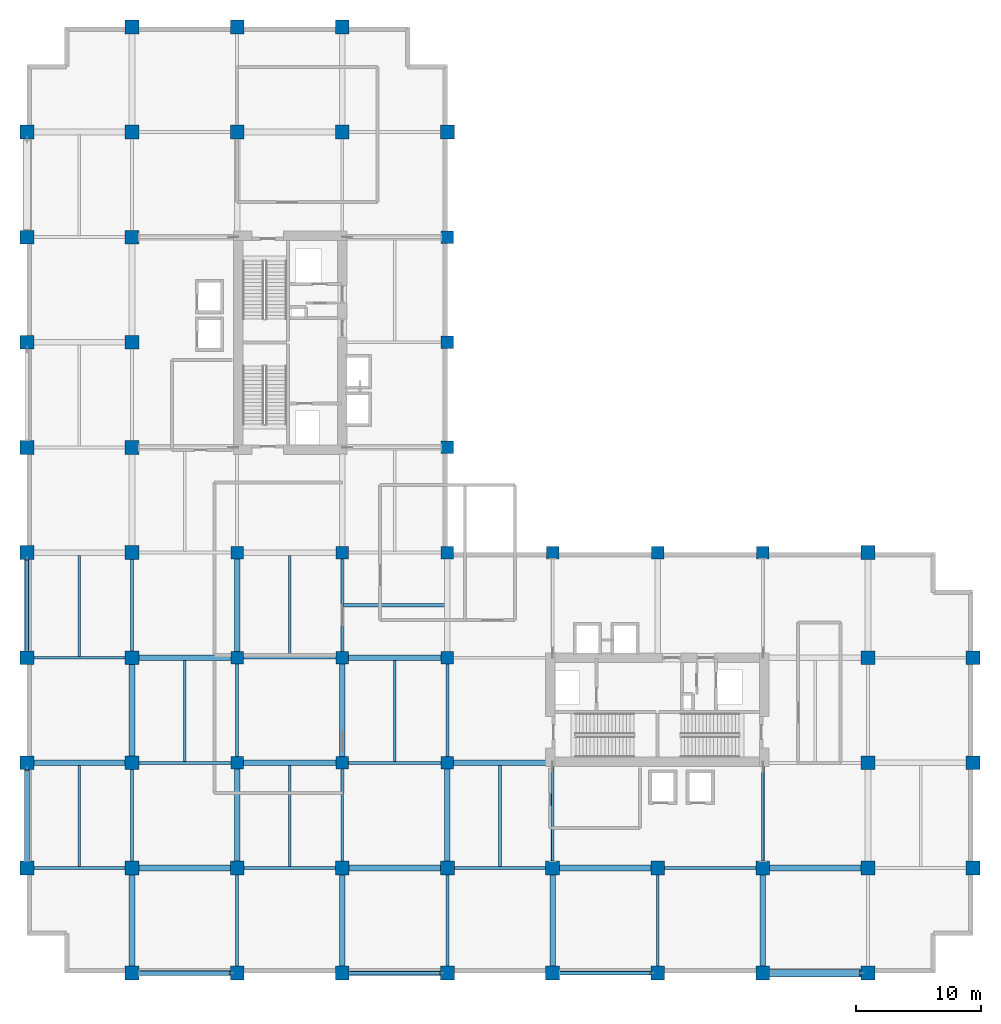
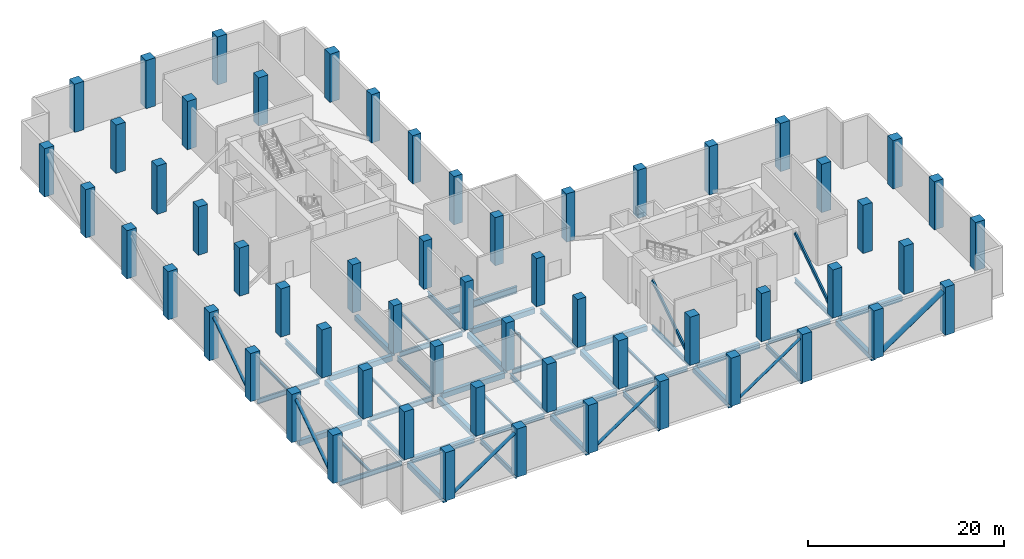
# One storey, part 1 of 16: 58 columns, 45 beams, 8 members.
"""IFC4 building model written with IfcOpenShell, lengths in metres."""

from ifc_helpers import new_model, si_unit, direction, frame, origin, origin_2d, place, context, subcontext, project, spatial, rectangle, hollow_rectangle, hollow_circle, i_section, extrude, material, material_profile, profile_set, type_object, element, save


model = new_model("IFC4")

# Units and contexts
model_context = context("Model", 3, precision=1e-05, world=origin(), true_north=direction((0.0, 1.0)))
body_context = subcontext(model_context, "Body", "Model", "MODEL_VIEW")
ifc_project = project(units=[si_unit("LENGTHUNIT", "METRE"), si_unit("AREAUNIT", "SQUARE_METRE"), si_unit("VOLUMEUNIT", "CUBIC_METRE"), si_unit("PLANEANGLEUNIT", "RADIAN"), si_unit("MASSUNIT", "GRAM", prefix="KILO")], contexts=[model_context])

# Site, building, storey
site_placement = place(None, origin())
site = spatial("IfcSite", under=ifc_project, at=site_placement, CompositionType="ELEMENT")
building_placement = place(site_placement, origin())
building = spatial("IfcBuilding", under=site, at=building_placement, Name="Koriwani Terraces Tower", CompositionType="ELEMENT")
storey_placement = place(building_placement, frame((0.0, 0.0, 162.0)))
storey = spatial("IfcBuildingStorey", under=building, at=storey_placement, Name="L39", CompositionType="ELEMENT", Elevation=162.0)

# Columns
ifc_material_1 = material(Name="Concrete C50/60", Category="concrete")
ifc_material_profile_1 = material_profile(ifc_material_1, rectangle(XDim=1.0, YDim=1.0, at=origin_2d()), Name="Concrete C50/60", Category="LoadBearing")
ifc_profile_set_1 = profile_set([ifc_material_profile_1], Name="Concrete C50/60")
column_type_1 = type_object("IfcColumnType", Name="COL_RC_1000X1000", PredefinedType="COLUMN", material=ifc_profile_set_1)
for number, where, z_axis, x_axis, name in (
    (1, (16.800048828125, 16.800048828125, 0.0), (0.0, 0.0, 1.0), (1.0, 0.0, 0.0), "L39 Column 3/C"),
    (2, (16.800048828125, 25.199951171875, 0.0), (0.0, 0.0, 1.0), (1.0, 0.0, 0.0), "L39 Column 3/D"),
    (3, (16.800048828125, 33.60009765625, 0.0), (0.0, 0.0, 1.0), (1.0, 0.0, 0.0), "L39 Column 3/E"),
    (4, (25.199951171875, 16.800048828125, 0.0), (0.0, 0.0, 1.0), (1.0, 0.0, 0.0), "L39 Column 4/C"),
    (5, (25.199951171875, 25.199951171875, 0.0), (0.0, 0.0, 1.0), (1.0, 0.0, 0.0), "L39 Column 4/D"),
    (6, (25.199951171875, 33.60009765625, 0.0), (0.0, 0.0, 1.0), (1.0, 0.0, 0.0), "L39 Column 4/E"),
    (7, (33.60009765625, 16.800048828125, 0.0), (0.0, 0.0, 1.0), (1.0, 0.0, 0.0), "L39 Column 5/C"),
    (8, (33.60009765625, 25.199951171875, 0.0), (0.0, 0.0, 1.0), (1.0, 0.0, 0.0), "L39 Column 5/D"),
    (9, (33.60009765625, 33.60009765625, 0.0), (0.0, 0.0, 1.0), (1.0, 0.0, 0.0), "L39 Column 5/E"),
    (10, (33.60009765625, 42.0, 0.0), (0.0, 0.0, 1.0), (1.0, 0.0, 0.0), "L39 Column 5/F"),
    (11, (33.60009765625, 50.39990234375, 0.0), (0.0, 0.0, 1.0), (1.0, 0.0, 0.0), "L39 Column 5/G"),
    (12, (33.60009765625, 58.800048828125, 0.0), (0.0, 0.0, 1.0), (1.0, 0.0, 0.0), "L39 Column 5/H"),
    (13, (42.0, 33.60009765625, 0.0), (0.0, 0.0, 1.0), (1.0, 0.0, 0.0), "L39 Column 6/E"),
    (14, (50.39990234375, 33.60009765625, 0.0), (0.0, 0.0, 1.0), (1.0, 0.0, 0.0), "L39 Column 7/E"),
    (15, (58.800048828125, 33.60009765625, 0.0), (0.0, 0.0, 1.0), (1.0, 0.0, 0.0), "L39 Column 8/E"),
):
    element("IfcColumn", number, at=place(storey_placement, frame(where, z_axis=z_axis, x_axis=x_axis)), inside=storey, type_object=column_type_1, Name=name, PredefinedType="COLUMN", context=body_context, shape_type="SweptSolid", body=[
        extrude(rectangle(XDim=1.0, YDim=1.0, at=origin_2d()), origin(), (0.0, 0.0, 1.0), 6.0),
    ])
ifc_material_profile_2 = material_profile(ifc_material_1, rectangle(XDim=1.10009765625, YDim=1.10009765625, at=origin_2d()), Name="Concrete C50/60", Category="LoadBearing")
ifc_profile_set_2 = profile_set([ifc_material_profile_2], Name="Concrete C50/60")
column_type_2 = type_object("IfcColumnType", Name="COL_RC_1100X1100", PredefinedType="COLUMN", material=ifc_profile_set_2)
for number, where, z_axis, x_axis, name in (
    (16, (0.0, 8.39990234375, 0.0), (0.0, 0.0, 1.0), (1.0, 0.0, 0.0), "L39 Column 1/B"),
    (17, (0.0, 16.800048828125, 0.0), (0.0, 0.0, 1.0), (1.0, 0.0, 0.0), "L39 Column 1/C"),
    (18, (0.0, 25.199951171875, 0.0), (0.0, 0.0, 1.0), (1.0, 0.0, 0.0), "L39 Column 1/D"),
    (19, (0.0, 33.60009765625, 0.0), (0.0, 0.0, 1.0), (1.0, 0.0, 0.0), "L39 Column 1/E"),
    (20, (0.0, 42.0, 0.0), (0.0, 0.0, 1.0), (1.0, 0.0, 0.0), "L39 Column 1/F"),
    (21, (0.0, 50.39990234375, 0.0), (0.0, 0.0, 1.0), (1.0, 0.0, 0.0), "L39 Column 1/G"),
    (22, (0.0, 58.800048828125, 0.0), (0.0, 0.0, 1.0), (1.0, 0.0, 0.0), "L39 Column 1/H"),
    (23, (0.0, 67.199951171875, 0.0), (0.0, 0.0, 1.0), (1.0, 0.0, 0.0), "L39 Column 1/I"),
    (24, (8.39990234375, 0.0, 0.0), (0.0, 0.0, 1.0), (1.0, 0.0, 0.0), "L39 Column 2/A"),
    (25, (8.39990234375, 8.39990234375, 0.0), (0.0, 0.0, 1.0), (1.0, 0.0, 0.0), "L39 Column 2/B"),
    (26, (8.39990234375, 16.800048828125, 0.0), (0.0, 0.0, 1.0), (1.0, 0.0, 0.0), "L39 Column 2/C"),
    (27, (8.39990234375, 25.199951171875, 0.0), (0.0, 0.0, 1.0), (1.0, 0.0, 0.0), "L39 Column 2/D"),
    (28, (8.39990234375, 33.60009765625, 0.0), (0.0, 0.0, 1.0), (1.0, 0.0, 0.0), "L39 Column 2/E"),
    (29, (8.39990234375, 42.0, 0.0), (0.0, 0.0, 1.0), (1.0, 0.0, 0.0), "L39 Column 2/F"),
    (30, (8.39990234375, 50.39990234375, 0.0), (0.0, 0.0, 1.0), (1.0, 0.0, 0.0), "L39 Column 2/G"),
    (31, (8.39990234375, 58.800048828125, 0.0), (0.0, 0.0, 1.0), (1.0, 0.0, 0.0), "L39 Column 2/H"),
    (32, (8.39990234375, 67.199951171875, 0.0), (0.0, 0.0, 1.0), (1.0, 0.0, 0.0), "L39 Column 2/I"),
    (33, (8.39990234375, 75.60009765625, 0.0), (0.0, 0.0, 1.0), (1.0, 0.0, 0.0), "L39 Column 2/J"),
    (34, (16.800048828125, 0.0, 0.0), (0.0, 0.0, 1.0), (1.0, 0.0, 0.0), "L39 Column 3/A"),
    (35, (16.800048828125, 8.39990234375, 0.0), (0.0, 0.0, 1.0), (1.0, 0.0, 0.0), "L39 Column 3/B"),
    (36, (16.800048828125, 67.199951171875, 0.0), (0.0, 0.0, 1.0), (1.0, 0.0, 0.0), "L39 Column 3/I"),
    (37, (16.800048828125, 75.60009765625, 0.0), (0.0, 0.0, 1.0), (1.0, 0.0, 0.0), "L39 Column 3/J"),
    (38, (25.199951171875, 0.0, 0.0), (0.0, 0.0, 1.0), (1.0, 0.0, 0.0), "L39 Column 4/A"),
    (39, (25.199951171875, 8.39990234375, 0.0), (0.0, 0.0, 1.0), (1.0, 0.0, 0.0), "L39 Column 4/B"),
    (40, (25.199951171875, 67.199951171875, 0.0), (0.0, 0.0, 1.0), (1.0, 0.0, 0.0), "L39 Column 4/I"),
    (41, (25.199951171875, 75.60009765625, 0.0), (0.0, 0.0, 1.0), (1.0, 0.0, 0.0), "L39 Column 4/J"),
    (42, (33.60009765625, 0.0, 0.0), (0.0, 0.0, 1.0), (1.0, 0.0, 0.0), "L39 Column 5/A"),
    (43, (33.60009765625, 8.39990234375, 0.0), (0.0, 0.0, 1.0), (1.0, 0.0, 0.0), "L39 Column 5/B"),
    (44, (33.60009765625, 67.199951171875, 0.0), (0.0, 0.0, 1.0), (1.0, 0.0, 0.0), "L39 Column 5/I"),
    (45, (42.0, 0.0, 0.0), (0.0, 0.0, 1.0), (1.0, 0.0, 0.0), "L39 Column 6/A"),
    (46, (42.0, 8.39990234375, 0.0), (0.0, 0.0, 1.0), (1.0, 0.0, 0.0), "L39 Column 6/B"),
    (47, (50.39990234375, 0.0, 0.0), (0.0, 0.0, 1.0), (1.0, 0.0, 0.0), "L39 Column 7/A"),
    (48, (50.39990234375, 8.39990234375, 0.0), (0.0, 0.0, 1.0), (1.0, 0.0, 0.0), "L39 Column 7/B"),
    (49, (58.800048828125, 0.0, 0.0), (0.0, 0.0, 1.0), (1.0, 0.0, 0.0), "L39 Column 8/A"),
    (50, (58.800048828125, 8.39990234375, 0.0), (0.0, 0.0, 1.0), (1.0, 0.0, 0.0), "L39 Column 8/B"),
    (51, (67.199951171875, 0.0, 0.0), (0.0, 0.0, 1.0), (1.0, 0.0, 0.0), "L39 Column 9/A"),
    (52, (67.199951171875, 8.39990234375, 0.0), (0.0, 0.0, 1.0), (1.0, 0.0, 0.0), "L39 Column 9/B"),
    (53, (67.199951171875, 16.800048828125, 0.0), (0.0, 0.0, 1.0), (1.0, 0.0, 0.0), "L39 Column 9/C"),
    (54, (67.199951171875, 25.199951171875, 0.0), (0.0, 0.0, 1.0), (1.0, 0.0, 0.0), "L39 Column 9/D"),
    (55, (67.199951171875, 33.60009765625, 0.0), (0.0, 0.0, 1.0), (1.0, 0.0, 0.0), "L39 Column 9/E"),
    (56, (75.60009765625, 8.39990234375, 0.0), (0.0, 0.0, 1.0), (1.0, 0.0, 0.0), "L39 Column 10/B"),
    (57, (75.60009765625, 16.800048828125, 0.0), (0.0, 0.0, 1.0), (1.0, 0.0, 0.0), "L39 Column 10/C"),
    (58, (75.60009765625, 25.199951171875, 0.0), (0.0, 0.0, 1.0), (1.0, 0.0, 0.0), "L39 Column 10/D"),
):
    element("IfcColumn", number, at=place(storey_placement, frame(where, z_axis=z_axis, x_axis=x_axis)), inside=storey, type_object=column_type_2, Name=name, PredefinedType="COLUMN", context=body_context, shape_type="SweptSolid", body=[
        extrude(rectangle(XDim=1.10009765625, YDim=1.10009765625, at=origin_2d()), origin(), (0.0, 0.0, 1.0), 6.0),
    ])

# Beams
ifc_material_profile_3 = material_profile(ifc_material_1, rectangle(XDim=0.449951171875, YDim=0.64990234375, at=origin_2d()), Name="Concrete C50/60", Category="LoadBearing")
ifc_profile_set_3 = profile_set([ifc_material_profile_3], Name="Concrete C50/60")
beam_type_1 = type_object("IfcBeamType", Name="BEAM_RC_GRID_450X650", PredefinedType="BEAM", material=ifc_profile_set_3)
for number, where, z_axis, x_axis, name in (
    (59, (8.929931640625, 8.39990234375, -0.675048828125), (1.0, 0.0, 0.0), (0.0, 1.0, 0.0), "L39 Grid Beam B (8.4-16.8m)"),
    (60, (25.72998046875, 8.39990234375, -0.675048828125), (1.0, 0.0, 0.0), (0.0, 1.0, 0.0), "L39 Grid Beam B (25.2-33.6m)"),
    (61, (42.530029296875, 8.39990234375, -0.675048828125), (1.0, 0.0, 0.0), (0.0, 1.0, 0.0), "L39 Grid Beam B (42.0-50.4m)"),
):
    element("IfcBeam", number, at=place(storey_placement, frame(where, z_axis=z_axis, x_axis=x_axis)), inside=storey, type_object=beam_type_1, Name=name, PredefinedType="BEAM", context=body_context, shape_type="SweptSolid", body=[
        extrude(rectangle(XDim=0.449951171875, YDim=0.64990234375, at=origin_2d()), origin(), (0.0, 0.0, 1.0), 7.340087890625),
    ])
beam_1_placement = place(storey_placement, frame((59.330078125, 8.39990234375, -0.675048828125), z_axis=(1.0, 0.0, 0.0), x_axis=(0.0, 1.0, 0.0)))
element("IfcBeam", 62, at=beam_1_placement, inside=storey, type_object=beam_type_1, Name="L39 Grid Beam B (58.8-67.2m)", PredefinedType="BEAM", context=body_context, shape_type="SweptSolid", body=[
    extrude(rectangle(XDim=0.449951171875, YDim=0.64990234375, at=origin_2d()), origin(), (0.0, 0.0, 1.0), 7.33984375),
])
beam_2_placement = place(storey_placement, frame((0.530029296875, 16.800048828125, -0.675048828125), z_axis=(1.0, 0.0, 0.0), x_axis=(0.0, 1.0, 0.0)))
element("IfcBeam", 63, at=beam_2_placement, inside=storey, type_object=beam_type_1, Name="L39 Grid Beam C (0.0-8.4m)", PredefinedType="BEAM", context=body_context, shape_type="SweptSolid", body=[
    extrude(rectangle(XDim=0.449951171875, YDim=0.64990234375, at=origin_2d()), origin(), (0.0, 0.0, 1.0), 7.340087890625),
])
beam_3_placement = place(storey_placement, frame((17.280029296875, 16.800048828125, -0.675048828125), z_axis=(1.0, 0.0, 0.0), x_axis=(0.0, 1.0, 0.0)))
element("IfcBeam", 64, at=beam_3_placement, inside=storey, type_object=beam_type_1, Name="L39 Grid Beam C (16.8-25.2m)", PredefinedType="BEAM", context=body_context, shape_type="SweptSolid", body=[
    extrude(rectangle(XDim=0.449951171875, YDim=0.64990234375, at=origin_2d()), origin(), (0.0, 0.0, 1.0), 7.43994140625),
])
beam_4_placement = place(storey_placement, frame((34.080078125, 16.800048828125, -0.675048828125), z_axis=(1.0, 0.0, 0.0), x_axis=(0.0, 1.0, 0.0)))
element("IfcBeam", 65, at=beam_4_placement, inside=storey, type_object=beam_type_1, Name="L39 Grid Beam C (33.6-42.0m)", PredefinedType="BEAM", context=body_context, shape_type="SweptSolid", body=[
    extrude(rectangle(XDim=0.449951171875, YDim=0.64990234375, at=origin_2d()), origin(), (0.0, 0.0, 1.0), 7.389892578125),
])
beam_5_placement = place(storey_placement, frame((8.929931640625, 25.199951171875, -0.675048828125), z_axis=(1.0, 0.0, 0.0), x_axis=(0.0, 1.0, 0.0)))
element("IfcBeam", 66, at=beam_5_placement, inside=storey, type_object=beam_type_1, Name="L39 Grid Beam D (8.4-16.8m)", PredefinedType="BEAM", context=body_context, shape_type="SweptSolid", body=[
    extrude(rectangle(XDim=0.449951171875, YDim=0.64990234375, at=origin_2d()), origin(), (0.0, 0.0, 1.0), 7.39013671875),
])
beam_6_placement = place(storey_placement, frame((25.679931640625, 25.199951171875, -0.675048828125), z_axis=(1.0, 0.0, 0.0), x_axis=(0.0, 1.0, 0.0)))
element("IfcBeam", 67, at=beam_6_placement, inside=storey, type_object=beam_type_1, Name="L39 Grid Beam D (25.2-33.6m)", PredefinedType="BEAM", context=body_context, shape_type="SweptSolid", body=[
    extrude(rectangle(XDim=0.449951171875, YDim=0.64990234375, at=origin_2d()), origin(), (0.0, 0.0, 1.0), 7.440185546875),
])
beam_7_placement = place(storey_placement, frame((8.39990234375, 0.530029296875, -0.675048828125), z_axis=(0.0, 1.0, 0.0), x_axis=(-1.0, 0.0, 0.0)))
element("IfcBeam", 68, at=beam_7_placement, inside=storey, type_object=beam_type_1, Name="L39 Grid Beam 2 (0.0-8.4m)", PredefinedType="BEAM", context=body_context, shape_type="SweptSolid", body=[
    extrude(rectangle(XDim=0.449951171875, YDim=0.64990234375, at=origin_2d()), origin(), (0.0, 0.0, 1.0), 7.340087890625),
])
beam_8_placement = place(storey_placement, frame((8.39990234375, 17.330078125, -0.675048828125), z_axis=(0.0, 1.0, 0.0), x_axis=(-1.0, 0.0, 0.0)))
element("IfcBeam", 69, at=beam_8_placement, inside=storey, type_object=beam_type_1, Name="L39 Grid Beam 2 (16.8-25.2m)", PredefinedType="BEAM", context=body_context, shape_type="SweptSolid", body=[
    extrude(rectangle(XDim=0.449951171875, YDim=0.64990234375, at=origin_2d()), origin(), (0.0, 0.0, 1.0), 7.33984375),
])
beam_9_placement = place(storey_placement, frame((16.800048828125, 8.929931640625, -0.675048828125), z_axis=(0.0, 1.0, 0.0), x_axis=(-1.0, 0.0, 0.0)))
element("IfcBeam", 70, at=beam_9_placement, inside=storey, type_object=beam_type_1, Name="L39 Grid Beam 3 (8.4-16.8m)", PredefinedType="BEAM", context=body_context, shape_type="SweptSolid", body=[
    extrude(rectangle(XDim=0.449951171875, YDim=0.64990234375, at=origin_2d()), origin(), (0.0, 0.0, 1.0), 7.39013671875),
])
beam_10_placement = place(storey_placement, frame((16.800048828125, 25.679931640625, -0.675048828125), z_axis=(0.0, 1.0, 0.0), x_axis=(-1.0, 0.0, 0.0)))
element("IfcBeam", 71, at=beam_10_placement, inside=storey, type_object=beam_type_1, Name="L39 Grid Beam 3 (25.2-33.6m)", PredefinedType="BEAM", context=body_context, shape_type="SweptSolid", body=[
    extrude(rectangle(XDim=0.449951171875, YDim=0.64990234375, at=origin_2d()), origin(), (0.0, 0.0, 1.0), 7.440185546875),
])
beam_11_placement = place(storey_placement, frame((25.199951171875, 0.530029296875, -0.675048828125), z_axis=(0.0, 1.0, 0.0), x_axis=(-1.0, 0.0, 0.0)))
element("IfcBeam", 72, at=beam_11_placement, inside=storey, type_object=beam_type_1, Name="L39 Grid Beam 4 (0.0-8.4m)", PredefinedType="BEAM", context=body_context, shape_type="SweptSolid", body=[
    extrude(rectangle(XDim=0.449951171875, YDim=0.64990234375, at=origin_2d()), origin(), (0.0, 0.0, 1.0), 7.340087890625),
])
beam_12_placement = place(storey_placement, frame((25.199951171875, 17.280029296875, -0.675048828125), z_axis=(0.0, 1.0, 0.0), x_axis=(-1.0, 0.0, 0.0)))
element("IfcBeam", 73, at=beam_12_placement, inside=storey, type_object=beam_type_1, Name="L39 Grid Beam 4 (16.8-25.2m)", PredefinedType="BEAM", context=body_context, shape_type="SweptSolid", body=[
    extrude(rectangle(XDim=0.449951171875, YDim=0.64990234375, at=origin_2d()), origin(), (0.0, 0.0, 1.0), 7.43994140625),
])
beam_13_placement = place(storey_placement, frame((33.60009765625, 8.929931640625, -0.675048828125), z_axis=(0.0, 1.0, 0.0), x_axis=(-1.0, 0.0, 0.0)))
element("IfcBeam", 74, at=beam_13_placement, inside=storey, type_object=beam_type_1, Name="L39 Grid Beam 5 (8.4-16.8m)", PredefinedType="BEAM", context=body_context, shape_type="SweptSolid", body=[
    extrude(rectangle(XDim=0.449951171875, YDim=0.64990234375, at=origin_2d()), origin(), (0.0, 0.0, 1.0), 7.39013671875),
])
for number, where, z_axis, x_axis, name in (
    (75, (42.0, 0.530029296875, -0.675048828125), (0.0, 1.0, 0.0), (-1.0, 0.0, 0.0), "L39 Grid Beam 6 (0.0-8.4m)"),
    (76, (58.800048828125, 0.530029296875, -0.675048828125), (0.0, 1.0, 0.0), (-1.0, 0.0, 0.0), "L39 Grid Beam 8 (0.0-8.4m)"),
):
    element("IfcBeam", number, at=place(storey_placement, frame(where, z_axis=z_axis, x_axis=x_axis)), inside=storey, type_object=beam_type_1, Name=name, PredefinedType="BEAM", context=body_context, shape_type="SweptSolid", body=[
        extrude(rectangle(XDim=0.449951171875, YDim=0.64990234375, at=origin_2d()), origin(), (0.0, 0.0, 1.0), 7.340087890625),
    ])

# Members
ifc_material_2 = material(Name="Steel ASTM A572 Grade 50", Category="steel")
ifc_material_profile_4 = material_profile(ifc_material_2, hollow_circle(Radius=0.162109375, WallThickness=0.012451171875, at=origin_2d()), Name="Steel ASTM A572 Grade 50", Category="LoadBearing")
ifc_profile_set_4 = profile_set([ifc_material_profile_4], Name="Steel ASTM A572 Grade 50")
member_type_1 = type_object("IfcMemberType", Name="BELT_TRUSS_DIAG_CHS324X12", PredefinedType="BRACE", material=ifc_profile_set_4)
member_1_placement = place(storey_placement, frame((42.530029296875, 0.0, 0.25), z_axis=(0.828041606434, 0.0, 0.560666654987), x_axis=(0.0, 1.0, 0.0)))
element("IfcMember", 77, at=member_1_placement, inside=storey, type_object=member_type_1, Name="Belt truss diagonal L39-BS3", PredefinedType="BRACE", context=body_context, shape_type="SweptSolid", body=[
    extrude(hollow_circle(Radius=0.162109375, WallThickness=0.012451171875, at=origin_2d()), origin(), (0.0, 0.0, 1.0), 8.864501953125),
])
ifc_material_profile_5 = material_profile(ifc_material_2, hollow_circle(Radius=0.177978515625, WallThickness=0.012451171875, at=origin_2d()), Name="Steel ASTM A572 Grade 50", Category="LoadBearing")
ifc_profile_set_5 = profile_set([ifc_material_profile_5], Name="Steel ASTM A572 Grade 50")
member_type_2 = type_object("IfcMemberType", Name="BELT_TRUSS_DIAG_CHS356X12", PredefinedType="BRACE", material=ifc_profile_set_5)
for number, where, z_axis, x_axis, name in (
    (78, (25.72998046875, 0.0, 0.25), (0.828041606434, 0.0, 0.560666654987), (0.0, 1.0, 0.0), "Belt truss diagonal L39-BS2"),
    (79, (0.0, 25.72998046875, 0.25), (0.0, 0.828041606434, 0.560666654987), (-1.0, 0.0, 0.0), "Belt truss diagonal L39-BW2"),
):
    element("IfcMember", number, at=place(storey_placement, frame(where, z_axis=z_axis, x_axis=x_axis)), inside=storey, type_object=member_type_2, Name=name, PredefinedType="BRACE", context=body_context, shape_type="SweptSolid", body=[
        extrude(hollow_circle(Radius=0.177978515625, WallThickness=0.012451171875, at=origin_2d()), origin(), (0.0, 0.0, 1.0), 8.864501953125),
    ])
ifc_material_profile_6 = material_profile(ifc_material_2, hollow_circle(Radius=0.202880859375, WallThickness=0.01611328125, at=origin_2d()), Name="Steel ASTM A572 Grade 50", Category="LoadBearing")
ifc_profile_set_6 = profile_set([ifc_material_profile_6], Name="Steel ASTM A572 Grade 50")
member_type_3 = type_object("IfcMemberType", Name="BELT_TRUSS_DIAG_CHS406X16", PredefinedType="BRACE", material=ifc_profile_set_6)
for number, where, z_axis, x_axis, name in (
    (80, (8.929931640625, 0.0, 0.25), (0.828041606434, 0.0, 0.560666654987), (0.0, 1.0, 0.0), "Belt truss diagonal L39-BS1"),
    (81, (0.0, 8.929931640625, 0.25), (0.0, 0.828041606434, 0.560666654987), (-1.0, 0.0, 0.0), "Belt truss diagonal L39-BW1"),
):
    element("IfcMember", number, at=place(storey_placement, frame(where, z_axis=z_axis, x_axis=x_axis)), inside=storey, type_object=member_type_3, Name=name, PredefinedType="BRACE", context=body_context, shape_type="SweptSolid", body=[
        extrude(hollow_circle(Radius=0.202880859375, WallThickness=0.01611328125, at=origin_2d()), origin(), (0.0, 0.0, 1.0), 8.864501953125),
    ])
ifc_material_profile_7 = material_profile(ifc_material_2, hollow_circle(Radius=0.304931640625, WallThickness=0.02490234375, at=origin_2d()), Name="Steel ASTM A572 Grade 50", Category="LoadBearing")
ifc_profile_set_7 = profile_set([ifc_material_profile_7], Name="Steel ASTM A572 Grade 50")
member_type_4 = type_object("IfcMemberType", Name="BELT_TRUSS_DIAG_CHS610X25", PredefinedType="STRUT", material=ifc_profile_set_7)
member_2_placement = place(storey_placement, frame((59.330078125, 0.0, 0.25), z_axis=(0.82803294848, 0.0, 0.560679441598), x_axis=(0.0, 1.0, 0.0)))
element("IfcMember", 82, at=member_2_placement, inside=storey, type_object=member_type_4, Name="Belt truss diagonal L39-BS4", PredefinedType="STRUT", context=body_context, shape_type="SweptSolid", body=[
    extrude(hollow_circle(Radius=0.304931640625, WallThickness=0.02490234375, at=origin_2d()), origin(), (0.0, 0.0, 1.0), 8.8642578125),
])
ifc_material_profile_8 = material_profile(ifc_material_2, hollow_rectangle(XDim=0.199951171875, YDim=0.39990234375, WallThickness=0.01416015625, at=origin_2d()), Name="Steel ASTM A572 Grade 50", Category="LoadBearing")
ifc_profile_set_8 = profile_set([ifc_material_profile_8], Name="Steel ASTM A572 Grade 50")
member_type_5 = type_object("IfcMemberType", Name="OUTRIGGER_BRACE_HSS400X200X14", PredefinedType="BRACE", material=ifc_profile_set_8)
for number, where, z_axis, x_axis, name in (
    (83, (42.0, 8.929931640625, 0.25), (0.0, 0.835273128378, 0.54983524897), (-1.0, 0.0, 0.0), "Outrigger truss diagonal L39-OE-S1"),
    (84, (58.800048828125, 8.929931640625, 0.25), (0.0, 0.835273128378, 0.54983524897), (-1.0, 0.0, 0.0), "Outrigger truss diagonal L39-OE-S2"),
):
    element("IfcMember", number, at=place(storey_placement, frame(where, z_axis=z_axis, x_axis=x_axis)), inside=storey, type_object=member_type_5, Name=name, PredefinedType="BRACE", context=body_context, shape_type="SweptSolid", body=[
        extrude(hollow_rectangle(XDim=0.199951171875, YDim=0.39990234375, WallThickness=0.01416015625, at=origin_2d()), origin(), (0.0, 0.0, 1.0), 9.0390625),
    ])

# Beams
ifc_material_profile_9 = material_profile(ifc_material_2, i_section(OverallWidth=0.205078125, OverallDepth=0.31005859375, WebThickness=0.009521484375, FlangeThickness=0.016357421875, at=origin_2d()), Name="Steel ASTM A572 Grade 50", Category="LoadBearing")
ifc_profile_set_9 = profile_set([ifc_material_profile_9], Name="Steel ASTM A572 Grade 50")
beam_type_2 = type_object("IfcBeamType", Name="STEEL_BEAM_W310X74", PredefinedType="JOIST", material=ifc_profile_set_9)
for number, where, z_axis, x_axis, name in (
    (85, (4.199951171875, 8.50439453125, -0.5048828125), (0.0, 1.0, 0.0), (-1.0, 0.0, 0.0), "L39 Secondary Steel Floor Joist X=4.2m"),
    (86, (4.199951171875, 25.304443359375, -0.5048828125), (0.0, 1.0, 0.0), (-1.0, 0.0, 0.0), "L39 Secondary Steel Floor Joist X=4.2m"),
    (87, (12.60009765625, 16.904541015625, -0.5048828125), (0.0, 1.0, 0.0), (-1.0, 0.0, 0.0), "L39 Secondary Steel Floor Joist X=12.6m"),
    (88, (21.0, 8.50439453125, -0.5048828125), (0.0, 1.0, 0.0), (-1.0, 0.0, 0.0), "L39 Secondary Steel Floor Joist X=21.0m"),
    (89, (21.0, 25.304443359375, -0.5048828125), (0.0, 1.0, 0.0), (-1.0, 0.0, 0.0), "L39 Secondary Steel Floor Joist X=21.0m"),
    (90, (29.39990234375, 16.904541015625, -0.5048828125), (0.0, 1.0, 0.0), (-1.0, 0.0, 0.0), "L39 Secondary Steel Floor Joist X=29.4m"),
    (91, (37.800048828125, 8.50439453125, -0.5048828125), (0.0, 1.0, 0.0), (-1.0, 0.0, 0.0), "L39 Secondary Steel Floor Joist X=37.8m"),
):
    element("IfcBeam", number, at=place(storey_placement, frame(where, z_axis=z_axis, x_axis=x_axis)), inside=storey, type_object=beam_type_2, Name=name, PredefinedType="JOIST", context=body_context, shape_type="SweptSolid", body=[
        extrude(i_section(OverallWidth=0.205078125, OverallDepth=0.31005859375, WebThickness=0.009521484375, FlangeThickness=0.016357421875, at=origin_2d()), origin(), (0.0, 0.0, 1.0), 8.08056640625),
    ])
ifc_material_profile_10 = material_profile(ifc_material_2, i_section(OverallWidth=0.22900390625, OverallDepth=0.611083984375, WebThickness=0.0126953125, FlangeThickness=0.022216796875, at=origin_2d()), Name="Steel ASTM A572 Grade 50", Category="LoadBearing")
ifc_profile_set_10 = profile_set([ifc_material_profile_10], Name="Steel ASTM A572 Grade 50")
beam_type_3 = type_object("IfcBeamType", Name="STEEL_BEAM_W610X155", PredefinedType="BEAM", material=ifc_profile_set_10)
beam_14_placement = place(storey_placement, frame((0.530029296875, 8.39990234375, -0.655517578125), z_axis=(1.0, 0.0, 0.0), x_axis=(0.0, 1.0, 0.0)))
element("IfcBeam", 92, at=beam_14_placement, inside=storey, type_object=beam_type_3, Name="L39 Grid Beam B (0.0-8.4m)", PredefinedType="BEAM", context=body_context, shape_type="SweptSolid", body=[
    extrude(i_section(OverallWidth=0.22900390625, OverallDepth=0.611083984375, WebThickness=0.0126953125, FlangeThickness=0.022216796875, at=origin_2d()), origin(), (0.0, 0.0, 1.0), 7.340087890625),
])
beam_15_placement = place(storey_placement, frame((17.330078125, 8.39990234375, -0.655517578125), z_axis=(1.0, 0.0, 0.0), x_axis=(0.0, 1.0, 0.0)))
element("IfcBeam", 93, at=beam_15_placement, inside=storey, type_object=beam_type_3, Name="L39 Grid Beam B (16.8-25.2m)", PredefinedType="BEAM", context=body_context, shape_type="SweptSolid", body=[
    extrude(i_section(OverallWidth=0.22900390625, OverallDepth=0.611083984375, WebThickness=0.0126953125, FlangeThickness=0.022216796875, at=origin_2d()), origin(), (0.0, 0.0, 1.0), 7.33984375),
])
for number, where, z_axis, x_axis, name in (
    (94, (34.1298828125, 8.39990234375, -0.655517578125), (1.0, 0.0, 0.0), (0.0, 1.0, 0.0), "L39 Grid Beam B (33.6-42.0m)"),
    (95, (50.929931640625, 8.39990234375, -0.655517578125), (1.0, 0.0, 0.0), (0.0, 1.0, 0.0), "L39 Grid Beam B (50.4-58.8m)"),
):
    element("IfcBeam", number, at=place(storey_placement, frame(where, z_axis=z_axis, x_axis=x_axis)), inside=storey, type_object=beam_type_3, Name=name, PredefinedType="BEAM", context=body_context, shape_type="SweptSolid", body=[
        extrude(i_section(OverallWidth=0.22900390625, OverallDepth=0.611083984375, WebThickness=0.0126953125, FlangeThickness=0.022216796875, at=origin_2d()), origin(), (0.0, 0.0, 1.0), 7.340087890625),
    ])
beam_16_placement = place(storey_placement, frame((8.929931640625, 16.800048828125, -0.655517578125), z_axis=(1.0, 0.0, 0.0), x_axis=(0.0, 1.0, 0.0)))
element("IfcBeam", 96, at=beam_16_placement, inside=storey, type_object=beam_type_3, Name="L39 Grid Beam C (8.4-16.8m)", PredefinedType="BEAM", context=body_context, shape_type="SweptSolid", body=[
    extrude(i_section(OverallWidth=0.22900390625, OverallDepth=0.611083984375, WebThickness=0.0126953125, FlangeThickness=0.022216796875, at=origin_2d()), origin(), (0.0, 0.0, 1.0), 7.39013671875),
])
beam_17_placement = place(storey_placement, frame((25.679931640625, 16.800048828125, -0.655517578125), z_axis=(1.0, 0.0, 0.0), x_axis=(0.0, 1.0, 0.0)))
element("IfcBeam", 97, at=beam_17_placement, inside=storey, type_object=beam_type_3, Name="L39 Grid Beam C (25.2-33.6m)", PredefinedType="BEAM", context=body_context, shape_type="SweptSolid", body=[
    extrude(i_section(OverallWidth=0.22900390625, OverallDepth=0.611083984375, WebThickness=0.0126953125, FlangeThickness=0.022216796875, at=origin_2d()), origin(), (0.0, 0.0, 1.0), 7.440185546875),
])
beam_18_placement = place(storey_placement, frame((0.530029296875, 25.199951171875, -0.655517578125), z_axis=(1.0, 0.0, 0.0), x_axis=(0.0, 1.0, 0.0)))
element("IfcBeam", 98, at=beam_18_placement, inside=storey, type_object=beam_type_3, Name="L39 Grid Beam D (0.0-8.4m)", PredefinedType="BEAM", context=body_context, shape_type="SweptSolid", body=[
    extrude(i_section(OverallWidth=0.22900390625, OverallDepth=0.611083984375, WebThickness=0.0126953125, FlangeThickness=0.022216796875, at=origin_2d()), origin(), (0.0, 0.0, 1.0), 7.340087890625),
])
beam_19_placement = place(storey_placement, frame((17.280029296875, 25.199951171875, -0.655517578125), z_axis=(1.0, 0.0, 0.0), x_axis=(0.0, 1.0, 0.0)))
element("IfcBeam", 99, at=beam_19_placement, inside=storey, type_object=beam_type_3, Name="L39 Grid Beam D (16.8-25.2m)", PredefinedType="BEAM", context=body_context, shape_type="SweptSolid", body=[
    extrude(i_section(OverallWidth=0.22900390625, OverallDepth=0.611083984375, WebThickness=0.0126953125, FlangeThickness=0.022216796875, at=origin_2d()), origin(), (0.0, 0.0, 1.0), 7.43994140625),
])
for number, where, z_axis, x_axis, name in (
    (100, (8.39990234375, 8.929931640625, -0.655517578125), (0.0, 1.0, 0.0), (-1.0, 0.0, 0.0), "L39 Grid Beam 2 (8.4-16.8m)"),
    (101, (8.39990234375, 25.72998046875, -0.655517578125), (0.0, 1.0, 0.0), (-1.0, 0.0, 0.0), "L39 Grid Beam 2 (25.2-33.6m)"),
    (102, (16.800048828125, 0.530029296875, -0.655517578125), (0.0, 1.0, 0.0), (-1.0, 0.0, 0.0), "L39 Grid Beam 3 (0.0-8.4m)"),
):
    element("IfcBeam", number, at=place(storey_placement, frame(where, z_axis=z_axis, x_axis=x_axis)), inside=storey, type_object=beam_type_3, Name=name, PredefinedType="BEAM", context=body_context, shape_type="SweptSolid", body=[
        extrude(i_section(OverallWidth=0.22900390625, OverallDepth=0.611083984375, WebThickness=0.0126953125, FlangeThickness=0.022216796875, at=origin_2d()), origin(), (0.0, 0.0, 1.0), 7.340087890625),
    ])
beam_20_placement = place(storey_placement, frame((16.800048828125, 17.280029296875, -0.655517578125), z_axis=(0.0, 1.0, 0.0), x_axis=(-1.0, 0.0, 0.0)))
element("IfcBeam", 103, at=beam_20_placement, inside=storey, type_object=beam_type_3, Name="L39 Grid Beam 3 (16.8-25.2m)", PredefinedType="BEAM", context=body_context, shape_type="SweptSolid", body=[
    extrude(i_section(OverallWidth=0.22900390625, OverallDepth=0.611083984375, WebThickness=0.0126953125, FlangeThickness=0.022216796875, at=origin_2d()), origin(), (0.0, 0.0, 1.0), 7.43994140625),
])
beam_21_placement = place(storey_placement, frame((25.199951171875, 8.929931640625, -0.655517578125), z_axis=(0.0, 1.0, 0.0), x_axis=(-1.0, 0.0, 0.0)))
element("IfcBeam", 104, at=beam_21_placement, inside=storey, type_object=beam_type_3, Name="L39 Grid Beam 4 (8.4-16.8m)", PredefinedType="BEAM", context=body_context, shape_type="SweptSolid", body=[
    extrude(i_section(OverallWidth=0.22900390625, OverallDepth=0.611083984375, WebThickness=0.0126953125, FlangeThickness=0.022216796875, at=origin_2d()), origin(), (0.0, 0.0, 1.0), 7.39013671875),
])
beam_22_placement = place(storey_placement, frame((25.199951171875, 25.679931640625, -0.655517578125), z_axis=(0.0, 1.0, 0.0), x_axis=(-1.0, 0.0, 0.0)))
element("IfcBeam", 105, at=beam_22_placement, inside=storey, type_object=beam_type_3, Name="L39 Grid Beam 4 (25.2-33.6m)", PredefinedType="BEAM", context=body_context, shape_type="SweptSolid", body=[
    extrude(i_section(OverallWidth=0.22900390625, OverallDepth=0.611083984375, WebThickness=0.0126953125, FlangeThickness=0.022216796875, at=origin_2d()), origin(), (0.0, 0.0, 1.0), 7.440185546875),
])
beam_23_placement = place(storey_placement, frame((33.60009765625, 0.530029296875, -0.655517578125), z_axis=(0.0, 1.0, 0.0), x_axis=(-1.0, 0.0, 0.0)))
element("IfcBeam", 106, at=beam_23_placement, inside=storey, type_object=beam_type_3, Name="L39 Grid Beam 5 (0.0-8.4m)", PredefinedType="BEAM", context=body_context, shape_type="SweptSolid", body=[
    extrude(i_section(OverallWidth=0.22900390625, OverallDepth=0.611083984375, WebThickness=0.0126953125, FlangeThickness=0.022216796875, at=origin_2d()), origin(), (0.0, 0.0, 1.0), 7.340087890625),
])
beam_24_placement = place(storey_placement, frame((33.60009765625, 17.280029296875, -0.655517578125), z_axis=(0.0, 1.0, 0.0), x_axis=(-1.0, 0.0, 0.0)))
element("IfcBeam", 107, at=beam_24_placement, inside=storey, type_object=beam_type_3, Name="L39 Grid Beam 5 (16.8-25.2m)", PredefinedType="BEAM", context=body_context, shape_type="SweptSolid", body=[
    extrude(i_section(OverallWidth=0.22900390625, OverallDepth=0.611083984375, WebThickness=0.0126953125, FlangeThickness=0.022216796875, at=origin_2d()), origin(), (0.0, 0.0, 1.0), 7.43994140625),
])
beam_25_placement = place(storey_placement, frame((42.0, 8.929931640625, -0.655517578125), z_axis=(0.0, 1.0, 0.0), x_axis=(-1.0, 0.0, 0.0)))
element("IfcBeam", 108, at=beam_25_placement, inside=storey, type_object=beam_type_3, Name="L39 Grid Beam 6 (8.4-16.8m)", PredefinedType="BEAM", context=body_context, shape_type="SweptSolid", body=[
    extrude(i_section(OverallWidth=0.22900390625, OverallDepth=0.611083984375, WebThickness=0.0126953125, FlangeThickness=0.022216796875, at=origin_2d()), origin(), (0.0, 0.0, 1.0), 7.590087890625),
])
beam_26_placement = place(storey_placement, frame((50.39990234375, 0.530029296875, -0.655517578125), z_axis=(0.0, 1.0, 0.0), x_axis=(-1.0, 0.0, 0.0)))
element("IfcBeam", 109, at=beam_26_placement, inside=storey, type_object=beam_type_3, Name="L39 Grid Beam 7 (0.0-8.4m)", PredefinedType="BEAM", context=body_context, shape_type="SweptSolid", body=[
    extrude(i_section(OverallWidth=0.22900390625, OverallDepth=0.611083984375, WebThickness=0.0126953125, FlangeThickness=0.022216796875, at=origin_2d()), origin(), (0.0, 0.0, 1.0), 7.340087890625),
])
beam_27_placement = place(storey_placement, frame((58.800048828125, 8.929931640625, -0.655517578125), z_axis=(0.0, 1.0, 0.0), x_axis=(-1.0, 0.0, 0.0)))
element("IfcBeam", 110, at=beam_27_placement, inside=storey, type_object=beam_type_3, Name="L39 Grid Beam 8 (8.4-16.8m)", PredefinedType="BEAM", context=body_context, shape_type="SweptSolid", body=[
    extrude(i_section(OverallWidth=0.22900390625, OverallDepth=0.611083984375, WebThickness=0.0126953125, FlangeThickness=0.022216796875, at=origin_2d()), origin(), (0.0, 0.0, 1.0), 7.590087890625),
])
ifc_material_profile_11 = material_profile(ifc_material_2, i_section(OverallWidth=0.2939453125, OverallDepth=0.85107421875, WebThickness=0.01611328125, FlangeThickness=0.02685546875, at=origin_2d()), Name="Steel ASTM A572 Grade 50", Category="LoadBearing")
ifc_profile_set_11 = profile_set([ifc_material_profile_11], Name="Steel ASTM A572 Grade 50")
beam_type_4 = type_object("IfcBeamType", Name="STEEL_BEAM_W840X226", PredefinedType="USERDEFINED", material=ifc_profile_set_11)
beam_28_placement = place(storey_placement, frame((25.280029296875, 29.39990234375, -0.775390625), z_axis=(1.0, 0.0, 0.0), x_axis=(0.0, 1.0, 0.0)))
element("IfcBeam", 111, at=beam_28_placement, inside=storey, type_object=beam_type_4, Name="L39 Podium Collector Steel Girder (STEEL_BEAM_W840X226)", ObjectType="GIRDER", PredefinedType="USERDEFINED", context=body_context, shape_type="SweptSolid", body=[
    extrude(i_section(OverallWidth=0.2939453125, OverallDepth=0.85107421875, WebThickness=0.01611328125, FlangeThickness=0.02685546875, at=origin_2d()), origin(), (0.0, 0.0, 1.0), 8.239990234375),
])

save(model, "model.ifc")
